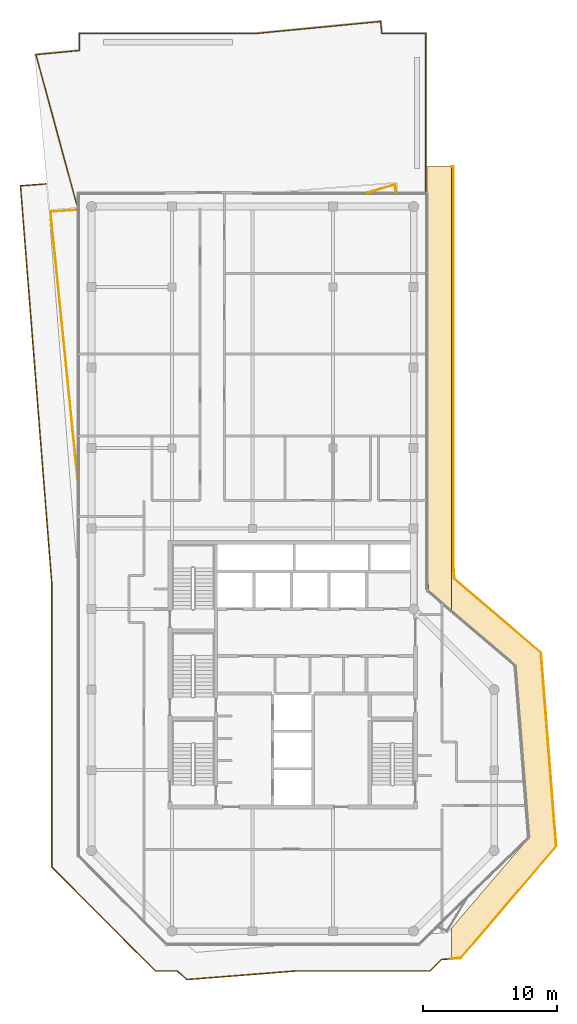
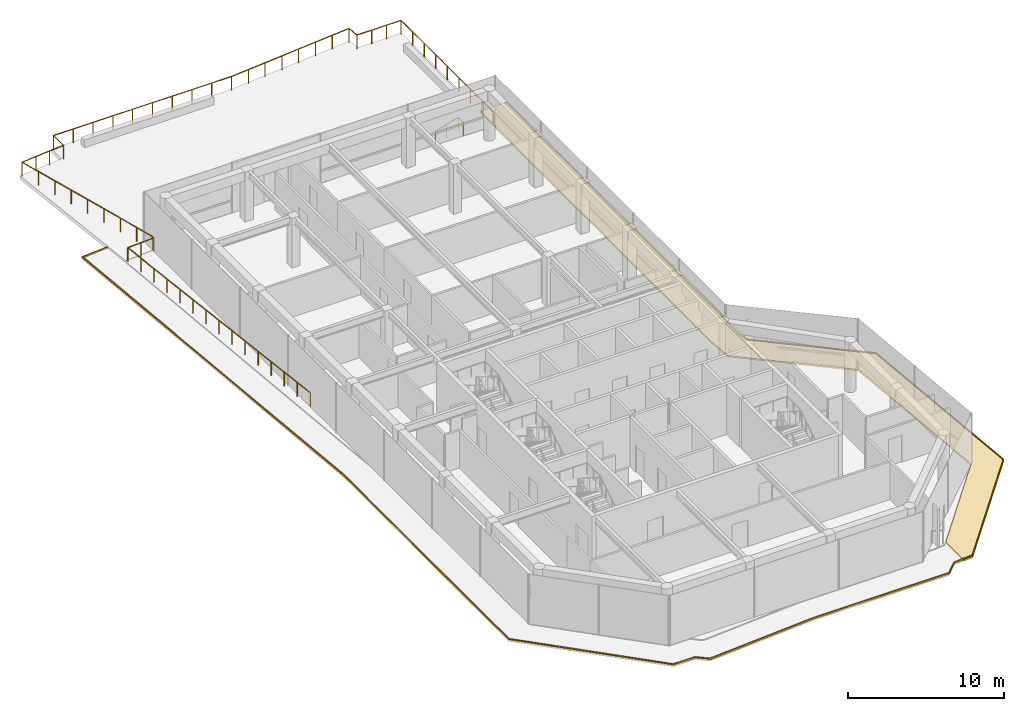
# One storey, part 20 of 20: 4 coverings, 3 railings.
"""IFC4 building model written with IfcOpenShell, lengths in metres."""

from ifc_helpers import new_model, si_unit, direction, frame, origin, origin_2d, place, context, subcontext, project, spatial, polyline, circle, outline, extrude, material, layer, layer_set, type_object, element, save


model = new_model("IFC4")

# Units and contexts
model_context = context("Model", 3, precision=1e-05, world=origin(), true_north=direction((0.0, 1.0)))
body_context = subcontext(model_context, "Body", "Model", "MODEL_VIEW")
ifc_project = project(units=[si_unit("LENGTHUNIT", "METRE"), si_unit("AREAUNIT", "SQUARE_METRE"), si_unit("VOLUMEUNIT", "CUBIC_METRE"), si_unit("PLANEANGLEUNIT", "RADIAN"), si_unit("MASSUNIT", "GRAM", prefix="KILO")], contexts=[model_context])

# Site, building, storey
site_placement = place(None, origin())
site = spatial("IfcSite", under=ifc_project, at=site_placement, CompositionType="ELEMENT")
building_placement = place(site_placement, origin())
building = spatial("IfcBuilding", under=site, at=building_placement, Name="Welwitschia Terrace Campus", CompositionType="ELEMENT")
storey_placement = place(building_placement, frame((0.0, 0.0, 314.60009765625)))
storey = spatial("IfcBuildingStorey", under=building, at=storey_placement, Name="L70", CompositionType="ELEMENT", Elevation=314.60009765625)

# Railings
ifc_material_1 = material(Name="Stainless steel grade 316", Category="steel")
railing_type = type_object("IfcRailingType", Name="Guard 1100", PredefinedType="GUARDRAIL", material=ifc_material_1)
railing_1_placement = place(storey_placement, frame((-1.030029296875, 49.8623046875, 0.0)))
element("IfcRailing", 1, at=railing_1_placement, inside=storey, type_object=railing_type, Name="Guard terrace L70:0:0.0", PredefinedType="GUARDRAIL", context=body_context, shape_type="SweptSolid", body=[
    extrude(circle(Radius=0.02392578125, at=origin_2d()), frame((0.0, 0.0, 1.076171875), z_axis=(-0.261997983622, 0.965068420672, 0.0), x_axis=(-0.965068420672, -0.261997983622, 0.0)), (0.0, 0.0, 1.0), 11.867919921875),
    extrude(circle(Radius=0.02392578125, at=origin_2d()), frame((-3.109375, 11.453369140625, 1.076171875), z_axis=(0.995400916322, 0.095796742041, 0.0), x_axis=(-0.095796742041, 0.995400916322, 0.0)), (0.0, 0.0, 1.0), 3.25439453125),
    extrude(circle(Radius=0.02392578125, at=origin_2d()), frame((0.130126953125, 11.76513671875, 1.076171875), z_axis=(0.0, 1.0, 0.0), x_axis=(-1.0, 0.0, 0.0)), (0.0, 0.0, 1.0), 1.2724609375),
    extrude(circle(Radius=0.02392578125, at=origin_2d()), frame((0.130126953125, 13.03759765625, 1.076171875), z_axis=(1.0, 0.0, 0.0), x_axis=(0.0, 1.0, 0.0)), (0.0, 0.0, 1.0), 13.215087890625),
    extrude(circle(Radius=0.02392578125, at=origin_2d()), frame((13.34521484375, 13.03759765625, 1.076171875), z_axis=(0.995396329027, 0.095844395558, 0.0), x_axis=(-0.095844395558, 0.995396329027, 0.0)), (0.0, 0.0, 1.0), 9.26953125),
    extrude(circle(Radius=0.02392578125, at=origin_2d()), frame((22.572021484375, 13.926025390625, 1.076171875), z_axis=(0.095738467441, -0.99540652291, 0.0), x_axis=(0.99540652291, 0.095738467441, 0.0)), (0.0, 0.0, 1.0), 0.892578125),
    extrude(circle(Radius=0.02392578125, at=origin_2d()), frame((22.657470703125, 13.03759765625, 1.076171875), z_axis=(1.0, 0.0, 0.0), x_axis=(0.0, 1.0, 0.0)), (0.0, 0.0, 1.0), 3.2724609375),
    extrude(circle(Radius=0.02392578125, at=origin_2d()), frame((25.929931640625, 13.03759765625, 1.076171875), z_axis=(0.0, -1.0, 0.0), x_axis=(1.0, 0.0, 0.0)), (0.0, 0.0, 1.0), 11.869873046875),
    extrude(circle(Radius=0.02099609375, at=origin_2d()), origin(), (0.0, 0.0, 1.0), 1.052001953125),
    extrude(circle(Radius=0.02099609375, at=origin_2d()), frame((-0.388671875, 1.431640625, 0.0)), (0.0, 0.0, 1.0), 1.052001953125),
    extrude(circle(Radius=0.02099609375, at=origin_2d()), frame((-0.77734375, 2.86328125, 0.0)), (0.0, 0.0, 1.0), 1.052001953125),
    extrude(circle(Radius=0.02099609375, at=origin_2d()), frame((-1.166015625, 4.294921875, 0.0)), (0.0, 0.0, 1.0), 1.052001953125),
    extrude(circle(Radius=0.02099609375, at=origin_2d()), frame((-1.5546875, 5.7265625, 0.0)), (0.0, 0.0, 1.0), 1.052001953125),
    extrude(circle(Radius=0.02099609375, at=origin_2d()), frame((-1.943359375, 7.158447265625, 0.0)), (0.0, 0.0, 1.0), 1.052001953125),
    extrude(circle(Radius=0.02099609375, at=origin_2d()), frame((-2.33203125, 8.590087890625, 0.0)), (0.0, 0.0, 1.0), 1.052001953125),
    extrude(circle(Radius=0.02099609375, at=origin_2d()), frame((-2.720703125, 10.021728515625, 0.0)), (0.0, 0.0, 1.0), 1.052001953125),
    extrude(circle(Radius=0.02099609375, at=origin_2d()), frame((-3.109375, 11.453369140625, 0.0)), (0.0, 0.0, 1.0), 1.052001953125),
    extrude(circle(Radius=0.02099609375, at=origin_2d()), frame((-2.029541015625, 11.557373046875, 0.0)), (0.0, 0.0, 1.0), 1.052001953125),
    extrude(circle(Radius=0.02099609375, at=origin_2d()), frame((-0.94970703125, 11.6611328125, 0.0)), (0.0, 0.0, 1.0), 1.052001953125),
    extrude(circle(Radius=0.02099609375, at=origin_2d()), frame((0.130126953125, 11.76513671875, 0.0)), (0.0, 0.0, 1.0), 1.052001953125),
    extrude(circle(Radius=0.02099609375, at=origin_2d()), frame((0.130126953125, 13.03759765625, 0.0)), (0.0, 0.0, 1.0), 1.052001953125),
    extrude(circle(Radius=0.02099609375, at=origin_2d()), frame((1.598388671875, 13.03759765625, 0.0)), (0.0, 0.0, 1.0), 1.052001953125),
    extrude(circle(Radius=0.02099609375, at=origin_2d()), frame((3.06689453125, 13.03759765625, 0.0)), (0.0, 0.0, 1.0), 1.052001953125),
    extrude(circle(Radius=0.02099609375, at=origin_2d()), frame((4.53515625, 13.03759765625, 0.0)), (0.0, 0.0, 1.0), 1.052001953125),
    extrude(circle(Radius=0.02099609375, at=origin_2d()), frame((6.00341796875, 13.03759765625, 0.0)), (0.0, 0.0, 1.0), 1.052001953125),
    extrude(circle(Radius=0.02099609375, at=origin_2d()), frame((7.471923828125, 13.03759765625, 0.0)), (0.0, 0.0, 1.0), 1.052001953125),
    extrude(circle(Radius=0.02099609375, at=origin_2d()), frame((8.940185546875, 13.03759765625, 0.0)), (0.0, 0.0, 1.0), 1.052001953125),
    extrude(circle(Radius=0.02099609375, at=origin_2d()), frame((10.408447265625, 13.03759765625, 0.0)), (0.0, 0.0, 1.0), 1.052001953125),
    extrude(circle(Radius=0.02099609375, at=origin_2d()), frame((11.876953125, 13.03759765625, 0.0)), (0.0, 0.0, 1.0), 1.052001953125),
    extrude(circle(Radius=0.02099609375, at=origin_2d()), frame((13.34521484375, 13.03759765625, 0.0)), (0.0, 0.0, 1.0), 1.052001953125),
    extrude(circle(Radius=0.02099609375, at=origin_2d()), frame((14.663330078125, 13.16455078125, 0.0)), (0.0, 0.0, 1.0), 1.052001953125),
    extrude(circle(Radius=0.02099609375, at=origin_2d()), frame((15.9814453125, 13.29150390625, 0.0)), (0.0, 0.0, 1.0), 1.052001953125),
    extrude(circle(Radius=0.02099609375, at=origin_2d()), frame((17.299560546875, 13.41845703125, 0.0)), (0.0, 0.0, 1.0), 1.052001953125),
    extrude(circle(Radius=0.02099609375, at=origin_2d()), frame((18.61767578125, 13.545166015625, 0.0)), (0.0, 0.0, 1.0), 1.052001953125),
    extrude(circle(Radius=0.02099609375, at=origin_2d()), frame((19.935791015625, 13.672119140625, 0.0)), (0.0, 0.0, 1.0), 1.052001953125),
    extrude(circle(Radius=0.02099609375, at=origin_2d()), frame((21.25390625, 13.799072265625, 0.0)), (0.0, 0.0, 1.0), 1.052001953125),
    extrude(circle(Radius=0.02099609375, at=origin_2d()), frame((22.572021484375, 13.926025390625, 0.0)), (0.0, 0.0, 1.0), 1.052001953125),
    extrude(circle(Radius=0.02099609375, at=origin_2d()), frame((22.657470703125, 13.03759765625, 0.0)), (0.0, 0.0, 1.0), 1.052001953125),
    extrude(circle(Radius=0.02099609375, at=origin_2d()), frame((23.748291015625, 13.03759765625, 0.0)), (0.0, 0.0, 1.0), 1.052001953125),
    extrude(circle(Radius=0.02099609375, at=origin_2d()), frame((24.839111328125, 13.03759765625, 0.0)), (0.0, 0.0, 1.0), 1.052001953125),
    extrude(circle(Radius=0.02099609375, at=origin_2d()), frame((25.929931640625, 13.03759765625, 0.0)), (0.0, 0.0, 1.0), 1.052001953125),
    extrude(circle(Radius=0.02099609375, at=origin_2d()), frame((25.929931640625, 11.553955078125, 0.0)), (0.0, 0.0, 1.0), 1.052001953125),
    extrude(circle(Radius=0.02099609375, at=origin_2d()), frame((25.929931640625, 10.070068359375, 0.0)), (0.0, 0.0, 1.0), 1.052001953125),
    extrude(circle(Radius=0.02099609375, at=origin_2d()), frame((25.929931640625, 8.58642578125, 0.0)), (0.0, 0.0, 1.0), 1.052001953125),
    extrude(circle(Radius=0.02099609375, at=origin_2d()), frame((25.929931640625, 7.1025390625, 0.0)), (0.0, 0.0, 1.0), 1.052001953125),
    extrude(circle(Radius=0.02099609375, at=origin_2d()), frame((25.929931640625, 5.618896484375, 0.0)), (0.0, 0.0, 1.0), 1.052001953125),
    extrude(circle(Radius=0.02099609375, at=origin_2d()), frame((25.929931640625, 4.13525390625, 0.0)), (0.0, 0.0, 1.0), 1.052001953125),
    extrude(circle(Radius=0.02099609375, at=origin_2d()), frame((25.929931640625, 2.6513671875, 0.0)), (0.0, 0.0, 1.0), 1.052001953125),
    extrude(circle(Radius=0.02099609375, at=origin_2d()), frame((25.929931640625, 1.167724609375, 0.0)), (0.0, 0.0, 1.0), 1.052001953125),
])
railing_2_placement = place(storey_placement, frame((-1.030029296875, 29.6611328125, 0.0)))
element("IfcRailing", 2, at=railing_2_placement, inside=storey, type_object=railing_type, Name="Guard floor edge L70.0", PredefinedType="GUARDRAIL", context=body_context, shape_type="SweptSolid", body=[
    extrude(circle(Radius=0.02392578125, at=origin_2d()), frame((0.0, 0.0, 1.076171875), z_axis=(-0.100727833845, 0.994914018139, 0.0), x_axis=(-0.994914018139, -0.100727833845, 0.0)), (0.0, 0.0, 1.0), 20.0615234375),
    extrude(circle(Radius=0.02392578125, at=origin_2d()), frame((-2.020751953125, 19.95947265625, 1.076171875), z_axis=(0.998136583661, 0.061019344126, 0.0), x_axis=(-0.061019344126, 0.998136583661, 0.0)), (0.0, 0.0, 1.0), 2.0244140625),
    extrude(circle(Radius=0.02099609375, at=origin_2d()), origin(), (0.0, 0.0, 1.0), 1.052001953125),
    extrude(circle(Radius=0.02099609375, at=origin_2d()), frame((-0.144287109375, 1.42578125, 0.0)), (0.0, 0.0, 1.0), 1.052001953125),
    extrude(circle(Radius=0.02099609375, at=origin_2d()), frame((-0.28857421875, 2.851318359375, 0.0)), (0.0, 0.0, 1.0), 1.052001953125),
    extrude(circle(Radius=0.02099609375, at=origin_2d()), frame((-0.43310546875, 4.277099609375, 0.0)), (0.0, 0.0, 1.0), 1.052001953125),
    extrude(circle(Radius=0.02099609375, at=origin_2d()), frame((-0.577392578125, 5.70263671875, 0.0)), (0.0, 0.0, 1.0), 1.052001953125),
    extrude(circle(Radius=0.02099609375, at=origin_2d()), frame((-0.7216796875, 7.12841796875, 0.0)), (0.0, 0.0, 1.0), 1.052001953125),
    extrude(circle(Radius=0.02099609375, at=origin_2d()), frame((-0.865966796875, 8.553955078125, 0.0)), (0.0, 0.0, 1.0), 1.052001953125),
    extrude(circle(Radius=0.02099609375, at=origin_2d()), frame((-1.01025390625, 9.979736328125, 0.0)), (0.0, 0.0, 1.0), 1.052001953125),
    extrude(circle(Radius=0.02099609375, at=origin_2d()), frame((-1.15478515625, 11.405517578125, 0.0)), (0.0, 0.0, 1.0), 1.052001953125),
    extrude(circle(Radius=0.02099609375, at=origin_2d()), frame((-1.299072265625, 12.8310546875, 0.0)), (0.0, 0.0, 1.0), 1.052001953125),
    extrude(circle(Radius=0.02099609375, at=origin_2d()), frame((-1.443359375, 14.2568359375, 0.0)), (0.0, 0.0, 1.0), 1.052001953125),
    extrude(circle(Radius=0.02099609375, at=origin_2d()), frame((-1.587646484375, 15.682373046875, 0.0)), (0.0, 0.0, 1.0), 1.052001953125),
    extrude(circle(Radius=0.02099609375, at=origin_2d()), frame((-1.732177734375, 17.108154296875, 0.0)), (0.0, 0.0, 1.0), 1.052001953125),
    extrude(circle(Radius=0.02099609375, at=origin_2d()), frame((-1.87646484375, 18.53369140625, 0.0)), (0.0, 0.0, 1.0), 1.052001953125),
    extrude(circle(Radius=0.02099609375, at=origin_2d()), frame((-2.020751953125, 19.95947265625, 0.0)), (0.0, 0.0, 1.0), 1.052001953125),
    extrude(circle(Radius=0.02099609375, at=origin_2d()), frame((-1.01025390625, 20.021240234375, 0.0)), (0.0, 0.0, 1.0), 1.052001953125),
    extrude(circle(Radius=0.02099609375, at=origin_2d()), frame((0.0, 20.0830078125, 0.0)), (0.0, 0.0, 1.0), 1.052001953125),
])
railing_3_placement = place(storey_placement, frame((20.575927734375, 51.030029296875, 0.0)))
element("IfcRailing", 3, at=railing_3_placement, inside=storey, type_object=railing_type, Name="Guard floor edge L70.1", PredefinedType="GUARDRAIL", context=body_context, shape_type="SweptSolid", body=[
    extrude(circle(Radius=0.02392578125, at=origin_2d()), frame((0.0, 0.0, 1.076171875), z_axis=(0.958416846264, 0.285371948162, 0.0), x_axis=(-0.285371948162, 0.958416846264, 0.0)), (0.0, 0.0, 1.0), 2.14306640625),
    extrude(circle(Radius=0.02392578125, at=origin_2d()), frame((2.053955078125, 0.611572265625, 1.076171875), z_axis=(0.020754011912, -0.999784612299, 0.0), x_axis=(0.999784612299, 0.020754011912, 0.0)), (0.0, 0.0, 1.0), 0.61181640625),
    extrude(circle(Radius=0.02099609375, at=origin_2d()), origin(), (0.0, 0.0, 1.0), 1.052001953125),
    extrude(circle(Radius=0.02099609375, at=origin_2d()), frame((1.02685546875, 0.3056640625, 0.0)), (0.0, 0.0, 1.0), 1.052001953125),
    extrude(circle(Radius=0.02099609375, at=origin_2d()), frame((2.053955078125, 0.611572265625, 0.0)), (0.0, 0.0, 1.0), 1.052001953125),
    extrude(circle(Radius=0.02099609375, at=origin_2d()), frame((2.066650390625, 0.0, 0.0)), (0.0, 0.0, 1.0), 1.052001953125),
])

# Coverings
ifc_material_2 = material(Name="Bronze anodised aluminium", Category="aluminium")
ifc_layer_1 = layer(ifc_material_2, 0.1201171875)
ifc_layer_set_1 = layer_set([ifc_layer_1], Name="Bronze anodised aluminium")
covering_type_1 = type_object("IfcCoveringType", Name="Sunshade band 2000", PredefinedType="USERDEFINED", material=ifc_layer_set_1)
covering_1_placement = place(storey_placement, frame((0.0, 0.0, -0.2001953125)))
element("IfcCovering", 4, at=covering_1_placement, inside=storey, type_object=covering_type_1, Name="SUNSHADE L70.SW1", ObjectType="SUNSHADE", PredefinedType="USERDEFINED", context=body_context, shape_type="SweptSolid", body=[
    extrude(outline(polyline([(25.1396484375, 21.279296875), (25.0, 23.05419921875), (25.0, 50.949951171875), (25.050048828125, 50.949951171875), (25.050048828125, 53.0), (26.820068359375, 53.0), (26.820068359375, 19.843994140625), (25.1396484375, 21.279296875)])), origin(), (0.0, 0.0, 1.0), 0.1201171875),
])
covering_2_placement = place(storey_placement, frame((0.0, 0.0, -0.2001953125)))
element("IfcCovering", 5, at=covering_2_placement, inside=storey, type_object=covering_type_1, Name="SUNSHADE L70.SE0", ObjectType="SUNSHADE", PredefinedType="USERDEFINED", context=body_context, shape_type="SweptSolid", body=[
    extrude(outline(polyline([(32.598388671875, 2.9794921875), (31.592041015625, 15.768310546875), (26.820068359375, 19.843994140625), (26.820068359375, 53.0), (27.0, 53.0), (27.0, 23.1328125), (27.068603515625, 22.261962890625), (33.520751953125, 16.751220703125), (34.6572265625, 2.310546875), (27.532470703125, -6.031494140625), (26.820068359375, -6.087646484375), (26.820068359375, -3.785888671875), (32.598388671875, 2.9794921875)])), origin(), (0.0, 0.0, 1.0), 0.1201171875),
])
ifc_material_3 = material(Name="Bronze anodised aluminium", Category="aluminium")
ifc_layer_2 = layer(ifc_material_3, 0.06005859375)
ifc_layer_set_2 = layer_set([ifc_layer_2], Name="Bronze anodised aluminium")
covering_type_2 = type_object("IfcCoveringType", Name="Sunshade lip 60", PredefinedType="USERDEFINED", material=ifc_layer_set_2)
covering_3_placement = place(storey_placement, frame((0.0, 0.0, -0.080078125)))
element("IfcCovering", 6, at=covering_3_placement, inside=storey, type_object=covering_type_2, Name="SUNSHADE LIP L70.SW0.0", ObjectType="SUNSHADE", PredefinedType="USERDEFINED", context=body_context, shape_type="SweptSolid", body=[
    extrude(outline(polyline([(26.820068359375, -6.087646484375), (26.098388671875, -6.144287109375), (25.24267578125, -7.0), (15.226318359375, -7.0), (7.1103515625, -7.638671875), (6.362548828125, -7.0), (4.75732421875, -7.0), (-3.0, 0.75732421875), (-3.0, 21.9541015625), (-5.33056640625, 51.567626953125), (-3.3662109375, 51.722412109375), (-3.360595703125, 51.66259765625), (-5.26611328125, 51.5126953125), (-2.93994140625, 21.95654296875), (-2.93994140625, 0.7822265625), (4.7822265625, -6.93994140625), (6.384521484375, -6.93994140625), (7.13037109375, -7.576904296875), (15.22412109375, -6.93994140625), (25.2177734375, -6.93994140625), (26.071533203125, -6.086181640625), (26.820068359375, -6.02734375), (26.820068359375, -6.087646484375)])), origin(), (0.0, 0.0, 1.0), 0.080078125),
])
covering_4_placement = place(storey_placement, frame((0.0, 0.0, -0.080078125)))
element("IfcCovering", 7, at=covering_4_placement, inside=storey, type_object=covering_type_2, Name="SUNSHADE LIP L70.SE0.0", ObjectType="SUNSHADE", PredefinedType="USERDEFINED", context=body_context, shape_type="SweptSolid", body=[
    extrude(outline(polyline([(26.820068359375, 53.0), (27.0, 53.0), (27.0, 23.1328125), (27.068603515625, 22.261962890625), (33.520751953125, 16.751220703125), (34.6572265625, 2.310546875), (27.532470703125, -6.031494140625), (26.820068359375, -6.087646484375), (26.820068359375, -6.02734375), (27.5029296875, -5.9736328125), (34.595458984375, 2.330810546875), (33.462890625, 16.7216796875), (27.0107421875, 22.232421875), (26.93994140625, 23.130615234375), (26.93994140625, 52.93994140625), (26.820068359375, 52.93994140625), (26.820068359375, 53.0)])), origin(), (0.0, 0.0, 1.0), 0.080078125),
])

save(model, "model.ifc")
